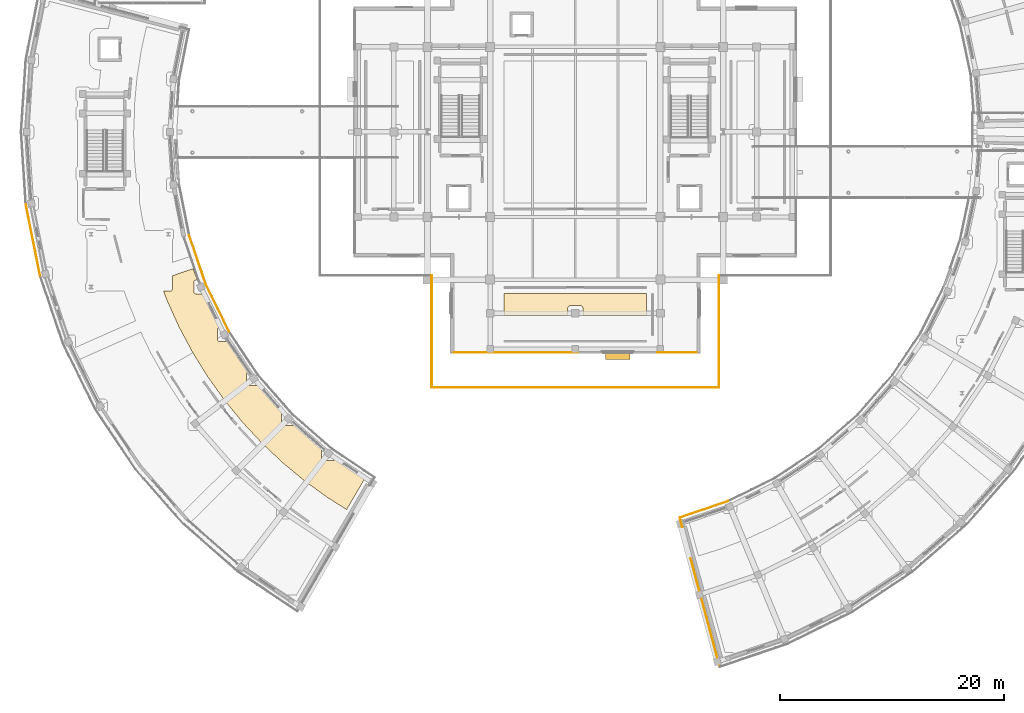
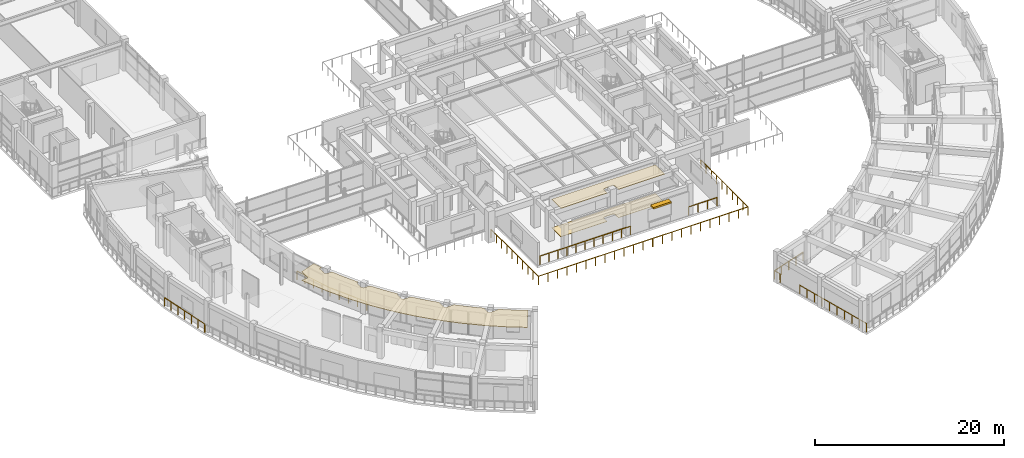
# One storey, part 59 of 72: 11 railings, 3 coverings, 1 shading device.
"""IFC4 building model written with IfcOpenShell, lengths in metres."""

from ifc_helpers import new_model, si_unit, direction, frame, origin, origin_2d, place, context, subcontext, project, spatial, polyline, rectangle, outline, extrude, material, layer, layer_set, type_object, element, save


model = new_model("IFC4")

# Units and contexts
model_context = context("Model", 3, precision=1e-05, world=origin(), true_north=direction((0.0, 1.0)))
body_context = subcontext(model_context, "Body", "Model", "MODEL_VIEW")
ifc_project = project(units=[si_unit("LENGTHUNIT", "METRE"), si_unit("AREAUNIT", "SQUARE_METRE"), si_unit("VOLUMEUNIT", "CUBIC_METRE"), si_unit("PLANEANGLEUNIT", "RADIAN"), si_unit("MASSUNIT", "GRAM", prefix="KILO")], contexts=[model_context])

# Site, building, storey
site_placement = place(None, origin())
site = spatial("IfcSite", under=ifc_project, at=site_placement, CompositionType="ELEMENT")
building_placement = place(site_placement, origin())
building = spatial("IfcBuilding", under=site, at=building_placement, Name="Saryqyr Civic Hall", CompositionType="ELEMENT")
storey_placement = place(building_placement, frame((0.0, 0.0, 17.25)))
storey = spatial("IfcBuildingStorey", under=building, at=storey_placement, Name="L04", CompositionType="ELEMENT", Elevation=17.25)

# Railings
ifc_material_1 = material(Name="Stainless steel and laminated glass", Category="steel")
ifc_layer_1 = layer(ifc_material_1, 0.06005859375, Name="Stainless steel and laminated glass")
ifc_layer_set_1 = layer_set([ifc_layer_1], Name="Stainless steel and laminated glass")
railing_type_1 = type_object("IfcRailingType", Name="ENV-RLG-BAL-1100", PredefinedType="BALUSTRADE", material=ifc_layer_set_1)
railing_1_placement = place(storey_placement, frame((44.179931640625, 61.179931640625, 0.0)))
element("IfcRailing", 1, at=railing_1_placement, inside=storey, type_object=railing_type_1, Name="Perimeter safety balustrade V1-STEPG-L04-G01", PredefinedType="BALUSTRADE", context=body_context, shape_type="SweptSolid", body=[
    extrude(rectangle(XDim=0.048095703125, YDim=0.048095703125, at=origin_2d()), frame((0.0, 0.0, 1.076171875), z_axis=(1.0, 0.0, 0.0), x_axis=(0.0, 1.0, 0.0)), (0.0, 0.0, 1.0), 25.64013671875),
    extrude(rectangle(XDim=0.0419921875, YDim=0.0419921875, at=origin_2d()), origin(), (0.0, 0.0, 1.0), 1.052001953125),
    extrude(rectangle(XDim=0.0419921875, YDim=0.0419921875, at=origin_2d()), frame((1.16552734375, 0.0, 0.0)), (0.0, 0.0, 1.0), 1.052001953125),
    extrude(rectangle(XDim=0.0419921875, YDim=0.0419921875, at=origin_2d()), frame((2.330810546875, 0.0, 0.0)), (0.0, 0.0, 1.0), 1.052001953125),
    extrude(rectangle(XDim=0.0419921875, YDim=0.0419921875, at=origin_2d()), frame((3.496337890625, 0.0, 0.0)), (0.0, 0.0, 1.0), 1.052001953125),
    extrude(rectangle(XDim=0.0419921875, YDim=0.0419921875, at=origin_2d()), frame((4.661865234375, 0.0, 0.0)), (0.0, 0.0, 1.0), 1.052001953125),
    extrude(rectangle(XDim=0.0419921875, YDim=0.0419921875, at=origin_2d()), frame((5.827392578125, 0.0, 0.0)), (0.0, 0.0, 1.0), 1.052001953125),
    extrude(rectangle(XDim=0.0419921875, YDim=0.0419921875, at=origin_2d()), frame((6.99267578125, 0.0, 0.0)), (0.0, 0.0, 1.0), 1.052001953125),
    extrude(rectangle(XDim=0.0419921875, YDim=0.0419921875, at=origin_2d()), frame((8.158203125, 0.0, 0.0)), (0.0, 0.0, 1.0), 1.052001953125),
    extrude(rectangle(XDim=0.0419921875, YDim=0.0419921875, at=origin_2d()), frame((9.32373046875, 0.0, 0.0)), (0.0, 0.0, 1.0), 1.052001953125),
    extrude(rectangle(XDim=0.0419921875, YDim=0.0419921875, at=origin_2d()), frame((10.4892578125, 0.0, 0.0)), (0.0, 0.0, 1.0), 1.052001953125),
    extrude(rectangle(XDim=0.0419921875, YDim=0.0419921875, at=origin_2d()), frame((11.654541015625, 0.0, 0.0)), (0.0, 0.0, 1.0), 1.052001953125),
    extrude(rectangle(XDim=0.0419921875, YDim=0.0419921875, at=origin_2d()), frame((12.820068359375, 0.0, 0.0)), (0.0, 0.0, 1.0), 1.052001953125),
    extrude(rectangle(XDim=0.0419921875, YDim=0.0419921875, at=origin_2d()), frame((13.985595703125, 0.0, 0.0)), (0.0, 0.0, 1.0), 1.052001953125),
    extrude(rectangle(XDim=0.0419921875, YDim=0.0419921875, at=origin_2d()), frame((15.15087890625, 0.0, 0.0)), (0.0, 0.0, 1.0), 1.052001953125),
    extrude(rectangle(XDim=0.0419921875, YDim=0.0419921875, at=origin_2d()), frame((16.31640625, 0.0, 0.0)), (0.0, 0.0, 1.0), 1.052001953125),
    extrude(rectangle(XDim=0.0419921875, YDim=0.0419921875, at=origin_2d()), frame((17.48193359375, 0.0, 0.0)), (0.0, 0.0, 1.0), 1.052001953125),
    extrude(rectangle(XDim=0.0419921875, YDim=0.0419921875, at=origin_2d()), frame((18.6474609375, 0.0, 0.0)), (0.0, 0.0, 1.0), 1.052001953125),
    extrude(rectangle(XDim=0.0419921875, YDim=0.0419921875, at=origin_2d()), frame((19.812744140625, 0.0, 0.0)), (0.0, 0.0, 1.0), 1.052001953125),
    extrude(rectangle(XDim=0.0419921875, YDim=0.0419921875, at=origin_2d()), frame((20.978271484375, 0.0, 0.0)), (0.0, 0.0, 1.0), 1.052001953125),
    extrude(rectangle(XDim=0.0419921875, YDim=0.0419921875, at=origin_2d()), frame((22.143798828125, 0.0, 0.0)), (0.0, 0.0, 1.0), 1.052001953125),
    extrude(rectangle(XDim=0.0419921875, YDim=0.0419921875, at=origin_2d()), frame((23.309326171875, 0.0, 0.0)), (0.0, 0.0, 1.0), 1.052001953125),
    extrude(rectangle(XDim=0.0419921875, YDim=0.0419921875, at=origin_2d()), frame((24.474609375, 0.0, 0.0)), (0.0, 0.0, 1.0), 1.052001953125),
    extrude(rectangle(XDim=0.0419921875, YDim=0.0419921875, at=origin_2d()), frame((25.64013671875, 0.0, 0.0)), (0.0, 0.0, 1.0), 1.052001953125),
])
railing_2_placement = place(storey_placement, frame((69.820068359375, 61.179931640625, 0.0)))
element("IfcRailing", 2, at=railing_2_placement, inside=storey, type_object=railing_type_1, Name="Perimeter safety balustrade V1-STEPG-L04-G02", PredefinedType="BALUSTRADE", context=body_context, shape_type="SweptSolid", body=[
    extrude(rectangle(XDim=0.048095703125, YDim=0.048095703125, at=origin_2d()), frame((0.0, 0.0, 1.076171875), z_axis=(0.0, 1.0, 0.0), x_axis=(-1.0, 0.0, 0.0)), (0.0, 0.0, 1.0), 10.0),
    extrude(rectangle(XDim=0.0419921875, YDim=0.0419921875, at=origin_2d()), origin(), (0.0, 0.0, 1.0), 1.052001953125),
    extrude(rectangle(XDim=0.0419921875, YDim=0.0419921875, at=origin_2d()), frame((0.0, 1.111083984375, 0.0)), (0.0, 0.0, 1.0), 1.052001953125),
    extrude(rectangle(XDim=0.0419921875, YDim=0.0419921875, at=origin_2d()), frame((0.0, 2.22216796875, 0.0)), (0.0, 0.0, 1.0), 1.052001953125),
    extrude(rectangle(XDim=0.0419921875, YDim=0.0419921875, at=origin_2d()), frame((0.0, 3.333251953125, 0.0)), (0.0, 0.0, 1.0), 1.052001953125),
    extrude(rectangle(XDim=0.0419921875, YDim=0.0419921875, at=origin_2d()), frame((0.0, 4.4443359375, 0.0)), (0.0, 0.0, 1.0), 1.052001953125),
    extrude(rectangle(XDim=0.0419921875, YDim=0.0419921875, at=origin_2d()), frame((0.0, 5.5556640625, 0.0)), (0.0, 0.0, 1.0), 1.052001953125),
    extrude(rectangle(XDim=0.0419921875, YDim=0.0419921875, at=origin_2d()), frame((0.0, 6.666748046875, 0.0)), (0.0, 0.0, 1.0), 1.052001953125),
    extrude(rectangle(XDim=0.0419921875, YDim=0.0419921875, at=origin_2d()), frame((0.0, 7.77783203125, 0.0)), (0.0, 0.0, 1.0), 1.052001953125),
    extrude(rectangle(XDim=0.0419921875, YDim=0.0419921875, at=origin_2d()), frame((0.0, 8.888916015625, 0.0)), (0.0, 0.0, 1.0), 1.052001953125),
    extrude(rectangle(XDim=0.0419921875, YDim=0.0419921875, at=origin_2d()), frame((0.0, 10.0, 0.0)), (0.0, 0.0, 1.0), 1.052001953125),
])
railing_3_placement = place(storey_placement, frame((44.179931640625, 71.179931640625, 0.0)))
element("IfcRailing", 3, at=railing_3_placement, inside=storey, type_object=railing_type_1, Name="Perimeter safety balustrade V1-STEPG-L04-G12", PredefinedType="BALUSTRADE", context=body_context, shape_type="SweptSolid", body=[
    extrude(rectangle(XDim=0.048095703125, YDim=0.048095703125, at=origin_2d()), frame((0.0, 0.0, 1.076171875), z_axis=(0.0, -1.0, 0.0), x_axis=(1.0, 0.0, 0.0)), (0.0, 0.0, 1.0), 10.0),
    extrude(rectangle(XDim=0.0419921875, YDim=0.0419921875, at=origin_2d()), origin(), (0.0, 0.0, 1.0), 1.052001953125),
    extrude(rectangle(XDim=0.0419921875, YDim=0.0419921875, at=origin_2d()), frame((0.0, -1.111083984375, 0.0)), (0.0, 0.0, 1.0), 1.052001953125),
    extrude(rectangle(XDim=0.0419921875, YDim=0.0419921875, at=origin_2d()), frame((0.0, -2.22216796875, 0.0)), (0.0, 0.0, 1.0), 1.052001953125),
    extrude(rectangle(XDim=0.0419921875, YDim=0.0419921875, at=origin_2d()), frame((0.0, -3.333251953125, 0.0)), (0.0, 0.0, 1.0), 1.052001953125),
    extrude(rectangle(XDim=0.0419921875, YDim=0.0419921875, at=origin_2d()), frame((0.0, -4.4443359375, 0.0)), (0.0, 0.0, 1.0), 1.052001953125),
    extrude(rectangle(XDim=0.0419921875, YDim=0.0419921875, at=origin_2d()), frame((0.0, -5.5556640625, 0.0)), (0.0, 0.0, 1.0), 1.052001953125),
    extrude(rectangle(XDim=0.0419921875, YDim=0.0419921875, at=origin_2d()), frame((0.0, -6.666748046875, 0.0)), (0.0, 0.0, 1.0), 1.052001953125),
    extrude(rectangle(XDim=0.0419921875, YDim=0.0419921875, at=origin_2d()), frame((0.0, -7.77783203125, 0.0)), (0.0, 0.0, 1.0), 1.052001953125),
    extrude(rectangle(XDim=0.0419921875, YDim=0.0419921875, at=origin_2d()), frame((0.0, -8.888916015625, 0.0)), (0.0, 0.0, 1.0), 1.052001953125),
    extrude(rectangle(XDim=0.0419921875, YDim=0.0419921875, at=origin_2d()), frame((0.0, -10.0, 0.0)), (0.0, 0.0, 1.0), 1.052001953125),
])

# Shading device
ifc_material_2 = material(Name="Warm brushed brass-anodised aluminium", Category="aluminium")
shading_device_type = type_object("IfcShadingDeviceType", Name="ENV-SHD-LOUVRE", PredefinedType="JALOUSIE", material=ifc_material_2)
shading_device_placement = place(storey_placement, frame((60.800048828125, 63.97509765625, 2.80517578125), z_axis=(0.0, 0.0, 1.0), x_axis=(-1.0, 0.0, 0.0)))
element("IfcShadingDevice", 4, at=shading_device_placement, inside=storey, type_object=shading_device_type, Name="Warm brass exterior louvre hood L04-11", PredefinedType="JALOUSIE", context=body_context, shape_type="SweptSolid", body=[
    extrude(rectangle(XDim=2.199951171875, YDim=0.60009765625, at=origin_2d()), origin(), (0.0, 0.0, 1.0), 0.199951171875),
])

# Coverings
ifc_material_3 = material(Name="Mineral-fibre acoustic ceiling tile", Category="acoustic_tile")
ifc_layer_2 = layer(ifc_material_3, 0.06005859375, Name="Mineral-fibre acoustic ceiling tile")
ifc_layer_set_2 = layer_set([ifc_layer_2], Name="Mineral-fibre acoustic ceiling tile")
covering_type_1 = type_object("IfcCoveringType", Name="INT-COV-CEIL-60", PredefinedType="CEILING", material=ifc_layer_set_2)
covering_1_placement = place(storey_placement, frame((0.0, 0.0, 3.699951171875)))
element("IfcCovering", 5, at=covering_1_placement, inside=storey, type_object=covering_type_1, Name="Acoustic ceiling Staff Quiet Lounge & Prayer Room", PredefinedType="CEILING", context=body_context, shape_type="SweptSolid", body=[
    extrude(outline(polyline([(25.23388671875, 66.527099609375), (25.22119140625, 66.525146484375), (25.197265625, 66.519287109375), (25.17431640625, 66.510986328125), (25.152099609375, 66.50048828125), (25.131103515625, 66.48779296875), (25.111328125, 66.473388671875), (25.093017578125, 66.456787109375), (25.07666015625, 66.438720703125), (25.06201171875, 66.4189453125), (25.04931640625, 66.397705078125), (25.038818359375, 66.375732421875), (25.03076171875, 66.3525390625), (25.024658203125, 66.328857421875), (25.02099609375, 66.304443359375), (25.02001953125, 66.280029296875), (25.02001953125, 65.52001953125), (25.02099609375, 65.49560546875), (25.024658203125, 65.47119140625), (25.03076171875, 65.447509765625), (25.038818359375, 65.42431640625), (25.04931640625, 65.402099609375), (25.06201171875, 65.381103515625), (25.07666015625, 65.361328125), (25.093017578125, 65.34326171875), (25.111328125, 65.32666015625), (25.131103515625, 65.31201171875), (25.152099609375, 65.299560546875), (25.17431640625, 65.2890625), (25.197265625, 65.28076171875), (25.22119140625, 65.27490234375), (25.245361328125, 65.271240234375), (25.27001953125, 65.27001953125), (25.95947265625, 65.27001953125), (26.790771484375, 63.927734375), (26.810546875, 63.89794921875), (27.768310546875, 62.5546875), (27.76171875, 62.55078125), (27.741943359375, 62.5361328125), (27.723876953125, 62.51953125), (27.707275390625, 62.50146484375), (27.692626953125, 62.481689453125), (27.68017578125, 62.460693359375), (27.669677734375, 62.4384765625), (27.661376953125, 62.415283203125), (27.655517578125, 62.3916015625), (27.65185546875, 62.3671875), (27.650634765625, 62.3427734375), (27.650634765625, 61.582763671875), (27.65185546875, 61.558349609375), (27.655517578125, 61.533935546875), (27.661376953125, 61.51025390625), (27.669677734375, 61.487060546875), (27.68017578125, 61.465087890625), (27.692626953125, 61.44384765625), (27.707275390625, 61.42431640625), (27.723876953125, 61.406005859375), (27.741943359375, 61.389404296875), (27.76171875, 61.375), (27.78271484375, 61.3623046875), (27.804931640625, 61.351806640625), (27.827880859375, 61.343505859375), (27.851806640625, 61.337646484375), (27.876220703125, 61.333984375), (27.900634765625, 61.332763671875), (28.66064453125, 61.332763671875), (28.68505859375, 61.333984375), (28.70458984375, 61.3369140625), (29.635986328125, 60.194580078125), (29.6591796875, 60.167724609375), (30.81591796875, 58.923095703125), (30.814697265625, 58.921630859375), (30.80224609375, 58.900390625), (30.791748046875, 58.87841796875), (30.783447265625, 58.855224609375), (30.777587890625, 58.83154296875), (30.77392578125, 58.80712890625), (30.772705078125, 58.78271484375), (30.772705078125, 58.022705078125), (30.77392578125, 57.998291015625), (30.777587890625, 57.973876953125), (30.783447265625, 57.9501953125), (30.791748046875, 57.927001953125), (30.80224609375, 57.90478515625), (30.814697265625, 57.8837890625), (30.829345703125, 57.864013671875), (30.845947265625, 57.845947265625), (30.864013671875, 57.829345703125), (30.8837890625, 57.814697265625), (30.90478515625, 57.80224609375), (30.927001953125, 57.791748046875), (30.9501953125, 57.783447265625), (30.973876953125, 57.777587890625), (30.998291015625, 57.77392578125), (31.022705078125, 57.772705078125), (31.78271484375, 57.772705078125), (31.80712890625, 57.77392578125), (31.83154296875, 57.777587890625), (31.855224609375, 57.783447265625), (31.87841796875, 57.791748046875), (31.900390625, 57.80224609375), (31.921630859375, 57.814697265625), (31.92578125, 57.818115234375), (32.939453125, 56.860107421875), (32.966064453125, 56.83642578125), (34.336181640625, 55.699951171875), (34.333984375, 55.68505859375), (34.332763671875, 55.66064453125), (34.332763671875, 54.900634765625), (34.333984375, 54.876220703125), (34.337646484375, 54.851806640625), (34.343505859375, 54.827880859375), (34.351806640625, 54.804931640625), (34.3623046875, 54.78271484375), (34.375, 54.76171875), (34.389404296875, 54.741943359375), (34.406005859375, 54.723876953125), (34.42431640625, 54.707275390625), (34.44384765625, 54.692626953125), (34.465087890625, 54.68017578125), (34.487060546875, 54.669677734375), (34.51025390625, 54.661376953125), (34.533935546875, 54.655517578125), (34.558349609375, 54.65185546875), (34.582763671875, 54.650634765625), (35.3427734375, 54.650634765625), (35.3671875, 54.65185546875), (35.3916015625, 54.655517578125), (35.415283203125, 54.661376953125), (35.4384765625, 54.669677734375), (35.460693359375, 54.68017578125), (35.481689453125, 54.692626953125), (35.50146484375, 54.707275390625), (35.51953125, 54.723876953125), (35.5361328125, 54.741943359375), (35.55078125, 54.76171875), (35.55615234375, 54.770751953125), (36.645751953125, 53.97998046875), (36.67529296875, 53.960205078125), (38.1806640625, 53.010009765625), (36.57177734375, 50.267822265625), (34.877197265625, 51.337158203125), (32.81005859375, 52.837158203125), (30.84423828125, 54.4677734375), (28.98828125, 56.221923828125), (27.24951171875, 58.0927734375), (25.635498046875, 60.072021484375), (24.15283203125, 62.151611328125), (22.80810546875, 64.322998046875), (21.6064453125, 66.576416015625), (20.55322265625, 68.9033203125), (20.22265625, 69.780517578125), (20.8037109375, 69.780517578125), (20.823486328125, 69.781494140625), (20.8427734375, 69.7841796875), (20.86181640625, 69.7890625), (20.88037109375, 69.795654296875), (20.898193359375, 69.803955078125), (20.914794921875, 69.81396484375), (20.9306640625, 69.82568359375), (20.9453125, 69.8388671875), (20.95849609375, 69.853515625), (20.97021484375, 69.869140625), (20.980224609375, 69.885986328125), (20.988525390625, 69.903564453125), (20.9951171875, 69.922119140625), (21.0, 69.941162109375), (21.0029296875, 69.96044921875), (21.00390625, 69.97998046875), (21.005615234375, 71.1513671875), (22.86376953125, 71.78369140625), (23.2431640625, 70.77685546875), (23.175537109375, 70.77685546875), (23.151123046875, 70.775634765625), (23.126708984375, 70.772216796875), (23.10302734375, 70.76611328125), (23.079833984375, 70.7578125), (23.057861328125, 70.747314453125), (23.03662109375, 70.73486328125), (23.01708984375, 70.72021484375), (22.998779296875, 70.70361328125), (22.982421875, 70.685546875), (22.9677734375, 70.665771484375), (22.955078125, 70.644775390625), (22.944580078125, 70.62255859375), (22.936279296875, 70.599609375), (22.930419921875, 70.57568359375), (22.9267578125, 70.551513671875), (22.925537109375, 70.52685546875), (22.925537109375, 69.766845703125), (22.9267578125, 69.742431640625), (22.930419921875, 69.718017578125), (22.936279296875, 69.6943359375), (22.944580078125, 69.671142578125), (22.955078125, 69.649169921875), (22.9677734375, 69.6279296875), (22.982421875, 69.6083984375), (22.998779296875, 69.590087890625), (23.01708984375, 69.573486328125), (23.03662109375, 69.55908203125), (23.057861328125, 69.54638671875), (23.079833984375, 69.535888671875), (23.10302734375, 69.527587890625), (23.126708984375, 69.521728515625), (23.151123046875, 69.51806640625), (23.175537109375, 69.516845703125), (23.763671875, 69.516845703125), (24.45166015625, 67.9970703125), (24.46728515625, 67.965087890625), (25.23388671875, 66.527099609375)])), origin(), (0.0, 0.0, 1.0), 0.06005859375),
])
covering_2_placement = place(storey_placement, frame((0.0, 0.0, 3.64990234375)))
element("IfcCovering", 6, at=covering_2_placement, inside=storey, type_object=covering_type_1, Name="Acoustic ceiling Mayor & Presidium Conferring Room", PredefinedType="CEILING", context=body_context, shape_type="SweptSolid", body=[
    extrude(outline(polyline([(50.64990234375, 69.550048828125), (63.35009765625, 69.550048828125), (63.35009765625, 67.60009765625), (57.679931640625, 67.60009765625), (57.679931640625, 68.22998046875), (57.6787109375, 68.25439453125), (57.67529296875, 68.27880859375), (57.669189453125, 68.302490234375), (57.660888671875, 68.32568359375), (57.650390625, 68.347900390625), (57.637939453125, 68.368896484375), (57.623291015625, 68.388671875), (57.606689453125, 68.40673828125), (57.588623046875, 68.42333984375), (57.56884765625, 68.43798828125), (57.5478515625, 68.450439453125), (57.525634765625, 68.4609375), (57.502685546875, 68.46923828125), (57.478759765625, 68.47509765625), (57.45458984375, 68.478759765625), (57.429931640625, 68.47998046875), (56.570068359375, 68.47998046875), (56.54541015625, 68.478759765625), (56.521240234375, 68.47509765625), (56.497314453125, 68.46923828125), (56.474365234375, 68.4609375), (56.4521484375, 68.450439453125), (56.43115234375, 68.43798828125), (56.411376953125, 68.42333984375), (56.393310546875, 68.40673828125), (56.376708984375, 68.388671875), (56.362060546875, 68.368896484375), (56.349609375, 68.347900390625), (56.339111328125, 68.32568359375), (56.330810546875, 68.302490234375), (56.32470703125, 68.27880859375), (56.3212890625, 68.25439453125), (56.320068359375, 68.22998046875), (56.320068359375, 67.60009765625), (50.64990234375, 67.60009765625), (50.64990234375, 69.550048828125)])), origin(), (0.0, 0.0, 1.0), 0.06005859375),
])
ifc_material_4 = material(Name="Polished terrazzo tile", Category="stone")
ifc_layer_3 = layer(ifc_material_4, 0.030029296875, Name="Polished terrazzo tile")
ifc_layer_set_3 = layer_set([ifc_layer_3], Name="Polished terrazzo tile")
covering_type_2 = type_object("IfcCoveringType", Name="INT-COV-FLR-30", PredefinedType="FLOORING", material=ifc_layer_set_3)
covering_3_placement = place(storey_placement, origin())
element("IfcCovering", 7, at=covering_3_placement, inside=storey, type_object=covering_type_2, Name="Polished terrazzo flooring Mayor & Presidium Conferring Room", PredefinedType="FLOORING", context=body_context, shape_type="SweptSolid", body=[
    extrude(outline(polyline([(50.64990234375, 69.550048828125), (63.35009765625, 69.550048828125), (63.35009765625, 67.60009765625), (57.679931640625, 67.60009765625), (57.679931640625, 68.22998046875), (57.6787109375, 68.25439453125), (57.67529296875, 68.27880859375), (57.669189453125, 68.302490234375), (57.660888671875, 68.32568359375), (57.650390625, 68.347900390625), (57.637939453125, 68.368896484375), (57.623291015625, 68.388671875), (57.606689453125, 68.40673828125), (57.588623046875, 68.42333984375), (57.56884765625, 68.43798828125), (57.5478515625, 68.450439453125), (57.525634765625, 68.4609375), (57.502685546875, 68.46923828125), (57.478759765625, 68.47509765625), (57.45458984375, 68.478759765625), (57.429931640625, 68.47998046875), (56.570068359375, 68.47998046875), (56.54541015625, 68.478759765625), (56.521240234375, 68.47509765625), (56.497314453125, 68.46923828125), (56.474365234375, 68.4609375), (56.4521484375, 68.450439453125), (56.43115234375, 68.43798828125), (56.411376953125, 68.42333984375), (56.393310546875, 68.40673828125), (56.376708984375, 68.388671875), (56.362060546875, 68.368896484375), (56.349609375, 68.347900390625), (56.339111328125, 68.32568359375), (56.330810546875, 68.302490234375), (56.32470703125, 68.27880859375), (56.3212890625, 68.25439453125), (56.320068359375, 68.22998046875), (56.320068359375, 67.60009765625), (50.64990234375, 67.60009765625), (50.64990234375, 69.550048828125)])), origin(), (0.0, 0.0, 1.0), 0.030029296875),
])

# Railings
ifc_material_5 = material(Name="Warm brushed brass and laminated glass", Category="glass")
ifc_layer_4 = layer(ifc_material_5, 0.06005859375, Name="Warm brushed brass and laminated glass")
ifc_layer_set_4 = layer_set([ifc_layer_4], Name="Warm brushed brass and laminated glass")
railing_type_2 = type_object("IfcRailingType", Name="INT-RLG-BAL-1100", PredefinedType="BALUSTRADE", material=ifc_layer_set_4)
railing_4_placement = place(storey_placement, frame((9.18701171875, 71.1884765625, 0.0)))
element("IfcRailing", 8, at=railing_4_placement, inside=storey, type_object=railing_type_2, Name="Interior deck safety balustrade L04-009", PredefinedType="BALUSTRADE", context=body_context, shape_type="SweptSolid", body=[
    extrude(rectangle(XDim=0.048095703125, YDim=0.048095703125, at=origin_2d()), frame((0.0, 0.0, 1.09619140625), z_axis=(-0.195122656431, 0.980778848134, 0.0), x_axis=(-0.980778848134, -0.195122656431, 0.0)), (0.0, 0.0, 1.0), 6.47509765625),
    extrude(rectangle(XDim=0.0419921875, YDim=0.0419921875, at=origin_2d()), origin(), (0.0, 0.0, 1.0), 1.072021484375),
    extrude(rectangle(XDim=0.0419921875, YDim=0.0419921875, at=origin_2d()), frame((-0.21044921875, 1.058349609375, 0.0)), (0.0, 0.0, 1.0), 1.072021484375),
    extrude(rectangle(XDim=0.0419921875, YDim=0.0419921875, at=origin_2d()), frame((-0.421142578125, 2.116943359375, 0.0)), (0.0, 0.0, 1.0), 1.072021484375),
    extrude(rectangle(XDim=0.0419921875, YDim=0.0419921875, at=origin_2d()), frame((-0.6318359375, 3.17529296875, 0.0)), (0.0, 0.0, 1.0), 1.072021484375),
    extrude(rectangle(XDim=0.0419921875, YDim=0.0419921875, at=origin_2d()), frame((-0.84228515625, 4.233642578125, 0.0)), (0.0, 0.0, 1.0), 1.072021484375),
    extrude(rectangle(XDim=0.0419921875, YDim=0.0419921875, at=origin_2d()), frame((-1.052734375, 5.292236328125, 0.0)), (0.0, 0.0, 1.0), 1.072021484375),
    extrude(rectangle(XDim=0.0419921875, YDim=0.0419921875, at=origin_2d()), frame((-1.263427734375, 6.3505859375, 0.0)), (0.0, 0.0, 1.0), 1.072021484375),
])
railing_5_placement = place(storey_placement, frame((69.906494140625, 36.218994140625, 0.0)))
element("IfcRailing", 9, at=railing_5_placement, inside=storey, type_object=railing_type_2, Name="Interior deck safety balustrade L04-070", PredefinedType="BALUSTRADE", context=body_context, shape_type="SweptSolid", body=[
    extrude(rectangle(XDim=0.048095703125, YDim=0.048095703125, at=origin_2d()), frame((0.0, 0.0, 1.09619140625), z_axis=(-0.258831910076, 0.965922379038, 0.0), x_axis=(-0.965922379038, -0.258831910076, 0.0)), (0.0, 0.0, 1.0), 10.01806640625),
    extrude(rectangle(XDim=0.0419921875, YDim=0.0419921875, at=origin_2d()), origin(), (0.0, 0.0, 1.0), 1.072021484375),
    extrude(rectangle(XDim=0.0419921875, YDim=0.0419921875, at=origin_2d()), frame((-0.2880859375, 1.0751953125, 0.0)), (0.0, 0.0, 1.0), 1.072021484375),
    extrude(rectangle(XDim=0.0419921875, YDim=0.0419921875, at=origin_2d()), frame((-0.576171875, 2.150390625, 0.0)), (0.0, 0.0, 1.0), 1.072021484375),
    extrude(rectangle(XDim=0.0419921875, YDim=0.0419921875, at=origin_2d()), frame((-0.8642578125, 3.2255859375, 0.0)), (0.0, 0.0, 1.0), 1.072021484375),
    extrude(rectangle(XDim=0.0419921875, YDim=0.0419921875, at=origin_2d()), frame((-1.15234375, 4.30078125, 0.0)), (0.0, 0.0, 1.0), 1.072021484375),
    extrude(rectangle(XDim=0.0419921875, YDim=0.0419921875, at=origin_2d()), frame((-1.440673828125, 5.3759765625, 0.0)), (0.0, 0.0, 1.0), 1.072021484375),
    extrude(rectangle(XDim=0.0419921875, YDim=0.0419921875, at=origin_2d()), frame((-1.728759765625, 6.451171875, 0.0)), (0.0, 0.0, 1.0), 1.072021484375),
    extrude(rectangle(XDim=0.0419921875, YDim=0.0419921875, at=origin_2d()), frame((-2.016845703125, 7.5263671875, 0.0)), (0.0, 0.0, 1.0), 1.072021484375),
    extrude(rectangle(XDim=0.0419921875, YDim=0.0419921875, at=origin_2d()), frame((-2.304931640625, 8.6015625, 0.0)), (0.0, 0.0, 1.0), 1.072021484375),
    extrude(rectangle(XDim=0.0419921875, YDim=0.0419921875, at=origin_2d()), frame((-2.593017578125, 9.6767578125, 0.0)), (0.0, 0.0, 1.0), 1.072021484375),
])
railing_6_placement = place(storey_placement, frame((66.556396484375, 48.720947265625, 0.0)))
element("IfcRailing", 10, at=railing_6_placement, inside=storey, type_object=railing_type_2, Name="Interior deck safety balustrade L04-071", PredefinedType="BALUSTRADE", context=body_context, shape_type="SweptSolid", body=[
    extrude(rectangle(XDim=0.048095703125, YDim=0.048095703125, at=origin_2d()), frame((0.0, 0.0, 1.09619140625), z_axis=(-0.258797820574, 0.965931513134, 0.0), x_axis=(-0.965931513134, -0.258797820574, 0.0)), (0.0, 0.0, 1.0), 0.856689453125),
    extrude(rectangle(XDim=0.0419921875, YDim=0.0419921875, at=origin_2d()), origin(), (0.0, 0.0, 1.0), 1.072021484375),
    extrude(rectangle(XDim=0.0419921875, YDim=0.0419921875, at=origin_2d()), frame((-0.2216796875, 0.827392578125, 0.0)), (0.0, 0.0, 1.0), 1.072021484375),
])
railing_7_placement = place(storey_placement, frame((66.334716796875, 49.54833984375, 0.0)))
element("IfcRailing", 11, at=railing_7_placement, inside=storey, type_object=railing_type_2, Name="Interior deck safety balustrade L04-072", PredefinedType="BALUSTRADE", context=body_context, shape_type="SweptSolid", body=[
    extrude(rectangle(XDim=0.048095703125, YDim=0.048095703125, at=origin_2d()), frame((0.0, 0.0, 1.09619140625), z_axis=(0.946921791476, 0.321464027269, 0.0), x_axis=(-0.321464027269, 0.946921791476, 0.0)), (0.0, 0.0, 1.0), 4.569580078125),
    extrude(rectangle(XDim=0.0419921875, YDim=0.0419921875, at=origin_2d()), origin(), (0.0, 0.0, 1.0), 1.072021484375),
    extrude(rectangle(XDim=0.0419921875, YDim=0.0419921875, at=origin_2d()), frame((1.081787109375, 0.3671875, 0.0)), (0.0, 0.0, 1.0), 1.072021484375),
    extrude(rectangle(XDim=0.0419921875, YDim=0.0419921875, at=origin_2d()), frame((2.16357421875, 0.734375, 0.0)), (0.0, 0.0, 1.0), 1.072021484375),
    extrude(rectangle(XDim=0.0419921875, YDim=0.0419921875, at=origin_2d()), frame((3.245361328125, 1.101806640625, 0.0)), (0.0, 0.0, 1.0), 1.072021484375),
    extrude(rectangle(XDim=0.0419921875, YDim=0.0419921875, at=origin_2d()), frame((4.3271484375, 1.468994140625, 0.0)), (0.0, 0.0, 1.0), 1.072021484375),
])
railing_8_placement = place(storey_placement, frame((67.8349609375, 64.300048828125, 0.0)))
element("IfcRailing", 12, at=railing_8_placement, inside=storey, type_object=railing_type_2, Name="Interior deck safety balustrade L04-083", PredefinedType="BALUSTRADE", context=body_context, shape_type="SweptSolid", body=[
    extrude(rectangle(XDim=0.048095703125, YDim=0.048095703125, at=origin_2d()), frame((0.0, 0.0, 1.09619140625), z_axis=(-1.0, 0.0, 0.0), x_axis=(0.0, -1.0, 0.0)), (0.0, 0.0, 1.0), 3.469970703125),
    extrude(rectangle(XDim=0.0419921875, YDim=0.0419921875, at=origin_2d()), origin(), (0.0, 0.0, 1.0), 1.072021484375),
    extrude(rectangle(XDim=0.0419921875, YDim=0.0419921875, at=origin_2d()), frame((-1.15673828125, 0.0, 0.0)), (0.0, 0.0, 1.0), 1.072021484375),
    extrude(rectangle(XDim=0.0419921875, YDim=0.0419921875, at=origin_2d()), frame((-2.313232421875, 0.0, 0.0)), (0.0, 0.0, 1.0), 1.072021484375),
    extrude(rectangle(XDim=0.0419921875, YDim=0.0419921875, at=origin_2d()), frame((-3.469970703125, 0.0, 0.0)), (0.0, 0.0, 1.0), 1.072021484375),
])
railing_9_placement = place(storey_placement, frame((57.235107421875, 64.300048828125, 0.0)))
element("IfcRailing", 13, at=railing_9_placement, inside=storey, type_object=railing_type_2, Name="Interior deck safety balustrade L04-084", PredefinedType="BALUSTRADE", context=body_context, shape_type="SweptSolid", body=[
    extrude(rectangle(XDim=0.048095703125, YDim=0.048095703125, at=origin_2d()), frame((0.0, 0.0, 1.09619140625), z_axis=(-1.0, 0.0, 0.0), x_axis=(0.0, -1.0, 0.0)), (0.0, 0.0, 1.0), 11.070068359375),
    extrude(rectangle(XDim=0.0419921875, YDim=0.0419921875, at=origin_2d()), origin(), (0.0, 0.0, 1.0), 1.072021484375),
    extrude(rectangle(XDim=0.0419921875, YDim=0.0419921875, at=origin_2d()), frame((-1.10693359375, 0.0, 0.0)), (0.0, 0.0, 1.0), 1.072021484375),
    extrude(rectangle(XDim=0.0419921875, YDim=0.0419921875, at=origin_2d()), frame((-2.214111328125, 0.0, 0.0)), (0.0, 0.0, 1.0), 1.072021484375),
    extrude(rectangle(XDim=0.0419921875, YDim=0.0419921875, at=origin_2d()), frame((-3.321044921875, 0.0, 0.0)), (0.0, 0.0, 1.0), 1.072021484375),
    extrude(rectangle(XDim=0.0419921875, YDim=0.0419921875, at=origin_2d()), frame((-4.427978515625, 0.0, 0.0)), (0.0, 0.0, 1.0), 1.072021484375),
    extrude(rectangle(XDim=0.0419921875, YDim=0.0419921875, at=origin_2d()), frame((-5.53515625, 0.0, 0.0)), (0.0, 0.0, 1.0), 1.072021484375),
    extrude(rectangle(XDim=0.0419921875, YDim=0.0419921875, at=origin_2d()), frame((-6.64208984375, 0.0, 0.0)), (0.0, 0.0, 1.0), 1.072021484375),
    extrude(rectangle(XDim=0.0419921875, YDim=0.0419921875, at=origin_2d()), frame((-7.7490234375, 0.0, 0.0)), (0.0, 0.0, 1.0), 1.072021484375),
    extrude(rectangle(XDim=0.0419921875, YDim=0.0419921875, at=origin_2d()), frame((-8.85595703125, 0.0, 0.0)), (0.0, 0.0, 1.0), 1.072021484375),
    extrude(rectangle(XDim=0.0419921875, YDim=0.0419921875, at=origin_2d()), frame((-9.963134765625, 0.0, 0.0)), (0.0, 0.0, 1.0), 1.072021484375),
    extrude(rectangle(XDim=0.0419921875, YDim=0.0419921875, at=origin_2d()), frame((-11.070068359375, 0.0, 0.0)), (0.0, 0.0, 1.0), 1.072021484375),
])
railing_10_placement = place(storey_placement, frame((22.51611328125, 74.760009765625, 0.0)))
element("IfcRailing", 14, at=railing_10_placement, inside=storey, type_object=railing_type_2, Name="Interior deck safety balustrade L04-089", PredefinedType="BALUSTRADE", context=body_context, shape_type="SweptSolid", body=[
    extrude(rectangle(XDim=0.048095703125, YDim=0.048095703125, at=origin_2d()), frame((0.0, 0.0, 1.09619140625), z_axis=(0.321477177768, -0.946917327001, 0.0), x_axis=(0.946917327001, 0.321477177768, 0.0)), (0.0, 0.0, 1.0), 4.669677734375),
    extrude(rectangle(XDim=0.0419921875, YDim=0.0419921875, at=origin_2d()), origin(), (0.0, 0.0, 1.0), 1.072021484375),
    extrude(rectangle(XDim=0.0419921875, YDim=0.0419921875, at=origin_2d()), frame((0.375244140625, -1.10546875, 0.0)), (0.0, 0.0, 1.0), 1.072021484375),
    extrude(rectangle(XDim=0.0419921875, YDim=0.0419921875, at=origin_2d()), frame((0.75048828125, -2.2109375, 0.0)), (0.0, 0.0, 1.0), 1.072021484375),
    extrude(rectangle(XDim=0.0419921875, YDim=0.0419921875, at=origin_2d()), frame((1.1259765625, -3.31640625, 0.0)), (0.0, 0.0, 1.0), 1.072021484375),
    extrude(rectangle(XDim=0.0419921875, YDim=0.0419921875, at=origin_2d()), frame((1.501220703125, -4.421875, 0.0)), (0.0, 0.0, 1.0), 1.072021484375),
])
railing_11_placement = place(storey_placement, frame((24.017333984375, 70.338134765625, 0.0)))
element("IfcRailing", 15, at=railing_11_placement, inside=storey, type_object=railing_type_2, Name="Interior deck safety balustrade L04-090", PredefinedType="BALUSTRADE", context=body_context, shape_type="SweptSolid", body=[
    extrude(rectangle(XDim=0.048095703125, YDim=0.048095703125, at=origin_2d()), frame((0.0, 0.0, 1.09619140625), z_axis=(0.44229248412, -0.896870870578, 0.0), x_axis=(0.896870870578, 0.44229248412, 0.0)), (0.0, 0.0, 1.0), 4.669921875),
    extrude(rectangle(XDim=0.0419921875, YDim=0.0419921875, at=origin_2d()), origin(), (0.0, 0.0, 1.0), 1.072021484375),
    extrude(rectangle(XDim=0.0419921875, YDim=0.0419921875, at=origin_2d()), frame((0.516357421875, -1.047119140625, 0.0)), (0.0, 0.0, 1.0), 1.072021484375),
    extrude(rectangle(XDim=0.0419921875, YDim=0.0419921875, at=origin_2d()), frame((1.03271484375, -2.09423828125, 0.0)), (0.0, 0.0, 1.0), 1.072021484375),
    extrude(rectangle(XDim=0.0419921875, YDim=0.0419921875, at=origin_2d()), frame((1.549072265625, -3.14111328125, 0.0)), (0.0, 0.0, 1.0), 1.072021484375),
    extrude(rectangle(XDim=0.0419921875, YDim=0.0419921875, at=origin_2d()), frame((2.0654296875, -4.188232421875, 0.0)), (0.0, 0.0, 1.0), 1.072021484375),
])

save(model, "model.ifc")
